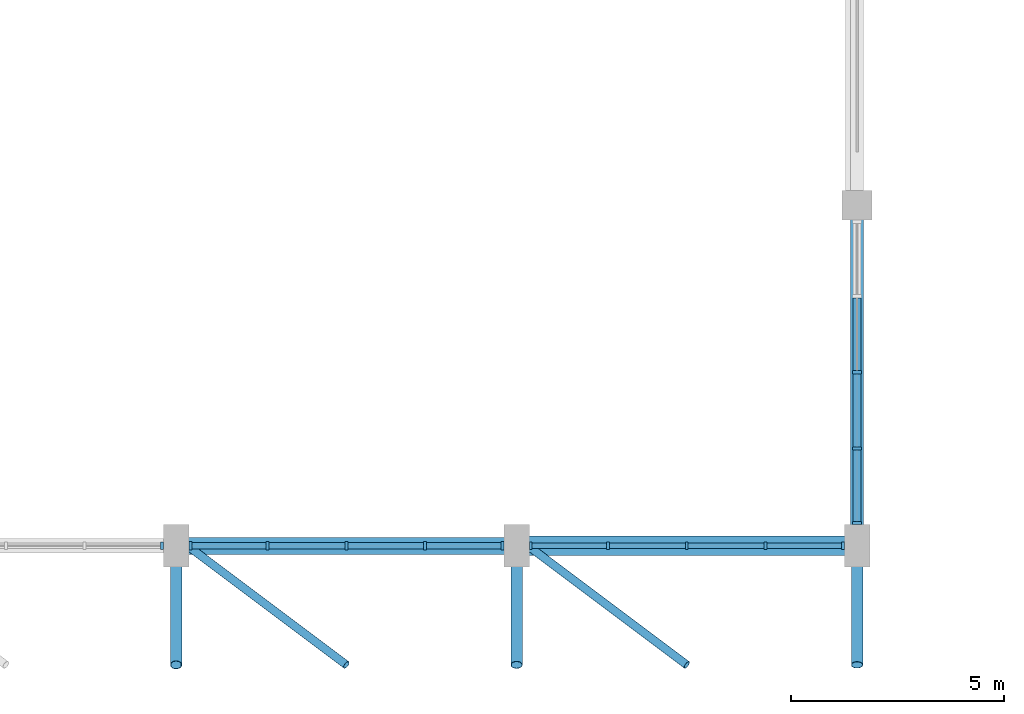
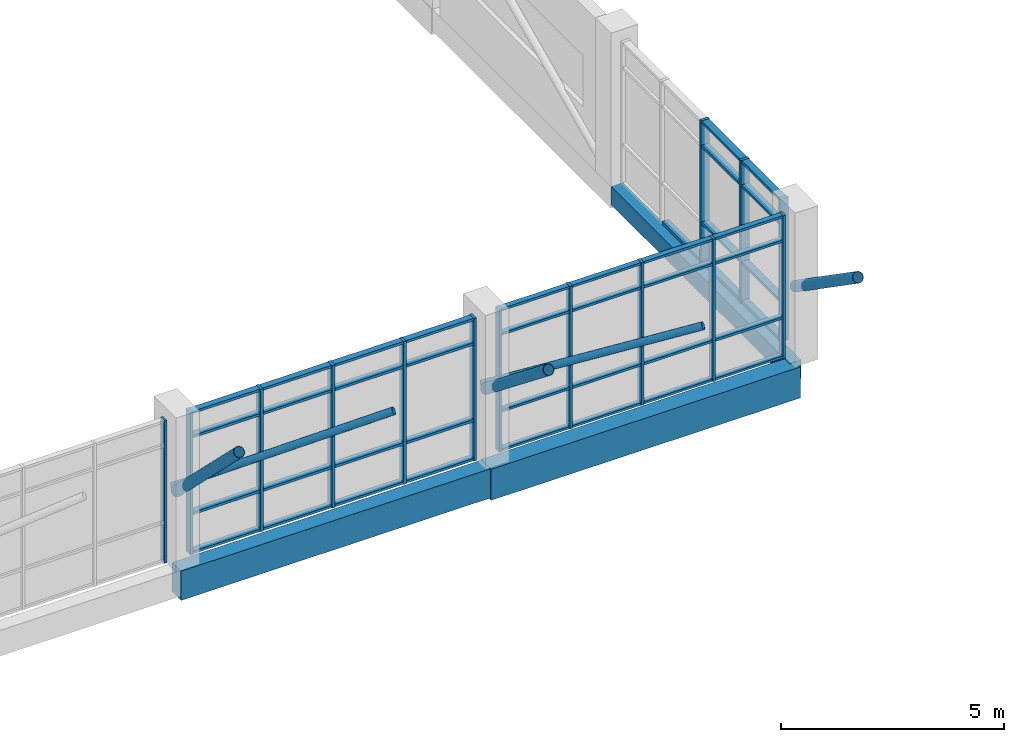
# One storey, part 5 of 44: 60 members, 3 beams, 4 elements without a shape of their own.
"""IFC4 building model written with IfcOpenShell, lengths in metres."""

from ifc_helpers import new_model, si_unit, direction, frame, origin, origin_2d, place, context, subcontext, project, spatial, rectangle, hollow_circle, extrude, material, material_profile, profile_set, type_object, element, aggregate, save


model = new_model("IFC4")

# Units and contexts
model_context = context("Model", 3, precision=1e-05, world=origin(), true_north=direction((0.0, 1.0)))
body_context = subcontext(model_context, "Body", "Model", "MODEL_VIEW")
ifc_project = project(units=[si_unit("LENGTHUNIT", "METRE"), si_unit("AREAUNIT", "SQUARE_METRE"), si_unit("VOLUMEUNIT", "CUBIC_METRE"), si_unit("PLANEANGLEUNIT", "RADIAN"), si_unit("MASSUNIT", "GRAM", prefix="KILO")], contexts=[model_context])

# Site, building, storey
site_placement = place(None, origin())
site = spatial("IfcSite", under=ifc_project, at=site_placement, CompositionType="ELEMENT")
building_placement = place(site_placement, origin())
building = spatial("IfcBuilding", under=site, at=building_placement, Name="Tenunan Teduh Sports Hall", CompositionType="ELEMENT")
storey_placement = place(building_placement, frame((0.0, 0.0, 19.199951171875)))
storey = spatial("IfcBuildingStorey", under=building, at=storey_placement, Name="L04", CompositionType="ELEMENT", Elevation=19.199951171875)

# Beams
ifc_material_1 = material(Name="Concrete C40/50", Category="concrete")
ifc_material_profile_1 = material_profile(ifc_material_1, rectangle(XDim=0.300048828125, YDim=0.5, at=origin_2d()), Name="RCB 300x500")
ifc_profile_set_1 = profile_set([ifc_material_profile_1], Name="Concrete C40/50")
beam_type_1 = type_object("IfcBeamType", Name="BM-RC-300x500", PredefinedType="BEAM", material=ifc_profile_set_1)
beam_1_placement = place(storey_placement, frame((54.0, 14.0, -0.52001953125), z_axis=(0.0, 1.0, 0.0), x_axis=(-1.0, 0.0, 0.0)))
element("IfcBeam", 1, at=beam_1_placement, inside=storey, type_object=beam_type_1, Name="BM-B-01-L04-2096", PredefinedType="BEAM", context=body_context, shape_type="SweptSolid", body=[
    extrude(rectangle(XDim=0.300048828125, YDim=0.5, at=origin_2d()), origin(), (0.0, 0.0, 1.0), 8.0),
])
ifc_material_2 = material(Name="Concrete C40/50", Category="concrete")
ifc_material_profile_2 = material_profile(ifc_material_2, rectangle(XDim=0.39990234375, YDim=0.800048828125, at=origin_2d()), Name="RCB 400x800")
ifc_profile_set_2 = profile_set([ifc_material_profile_2], Name="Concrete C40/50")
beam_type_2 = type_object("IfcBeamType", Name="BM-RC-400x800", PredefinedType="BEAM", material=ifc_profile_set_2)
beam_2_placement = place(storey_placement, frame((38.0, 14.0, -0.669921875), z_axis=(1.0, 0.0, 0.0), x_axis=(0.0, 1.0, 0.0)))
element("IfcBeam", 2, at=beam_2_placement, inside=storey, type_object=beam_type_2, Name="BM-B-10-L04-2014", PredefinedType="BEAM", context=body_context, shape_type="SweptSolid", body=[
    extrude(rectangle(XDim=0.39990234375, YDim=0.800048828125, at=origin_2d()), origin(), (0.0, 0.0, 1.0), 8.0),
])
ifc_material_3 = material(Name="Concrete C40/50", Category="concrete")
ifc_material_profile_3 = material_profile(ifc_material_3, rectangle(XDim=0.449951171875, YDim=0.85009765625, at=origin_2d()), Name="RCB 450x850")
ifc_profile_set_3 = profile_set([ifc_material_profile_3], Name="Concrete C40/50")
beam_type_3 = type_object("IfcBeamType", Name="BM-RC-450x850", PredefinedType="BEAM", material=ifc_profile_set_3)
beam_3_placement = place(storey_placement, frame((46.0, 14.0, -0.695068359375), z_axis=(1.0, 0.0, 0.0), x_axis=(0.0, 1.0, 0.0)))
element("IfcBeam", 3, at=beam_3_placement, inside=storey, type_object=beam_type_3, Name="BM-B-13-L04-2015", PredefinedType="BEAM", context=body_context, shape_type="SweptSolid", body=[
    extrude(rectangle(XDim=0.449951171875, YDim=0.85009765625, at=origin_2d()), origin(), (0.0, 0.0, 1.0), 8.0),
])

# Curtain wall, member
ifc_material_4 = material(Name="Anodised aluminium", Category="aluminium")
curtain_wall_type = type_object("IfcCurtainWallType", Name="CW-UNIT-2", PredefinedType="NOTDEFINED", material=ifc_material_4)
curtain_wall_1_placement = place(storey_placement, origin())
curtain_wall_1 = element("IfcCurtainWall", 4, at=curtain_wall_1_placement, inside=storey, type_object=curtain_wall_type, Name="CW-CWM-175-L04-098", PredefinedType="NOTDEFINED")
ifc_material_5 = material(Name="Anodised aluminium", Category="aluminium")
ifc_material_profile_4 = material_profile(ifc_material_5, rectangle(XDim=0.06494140625, YDim=0.175048828125, at=origin_2d()), Name="CWM 65x175")
ifc_profile_set_4 = profile_set([ifc_material_profile_4], Name="Anodised aluminium")
member_type_1 = type_object("IfcMemberType", Name="CWM-175", PredefinedType="MULLION", material=ifc_profile_set_4)
member_1_placement = place(storey_placement, frame((37.66748046875, 14.0, 0.0), z_axis=(0.0, 0.0, 1.0), x_axis=(1.0, 0.0, 0.0)))
member_1 = element("IfcMember", 5, at=member_1_placement, type_object=member_type_1, Name="CW-02 mullion 5", PredefinedType="MULLION", context=body_context, shape_type="SweptSolid", body=[
    extrude(rectangle(XDim=0.06494140625, YDim=0.175048828125, at=origin_2d()), origin(), (0.0, 0.0, 1.0), 3.900146484375),
])
aggregate(curtain_wall_1, [member_1])

# Curtain wall, members
curtain_wall_2_placement = place(storey_placement, origin())
curtain_wall_2 = element("IfcCurtainWall", 6, at=curtain_wall_2_placement, inside=storey, type_object=curtain_wall_type, Name="CW-CWM-175-L04-102", PredefinedType="NOTDEFINED")
member_2_placement = place(storey_placement, frame((46.33251953125, 14.0, 0.0), z_axis=(0.0, 0.0, 1.0), x_axis=(1.0, 0.0, 0.0)))
member_2 = element("IfcMember", 7, at=member_2_placement, type_object=member_type_1, Name="CW-02 mullion 1", PredefinedType="MULLION", context=body_context, shape_type="SweptSolid", body=[
    extrude(rectangle(XDim=0.06494140625, YDim=0.175048828125, at=origin_2d()), origin(), (0.0, 0.0, 1.0), 3.900146484375),
])
member_3_placement = place(storey_placement, frame((48.14990234375, 14.0, 0.0), z_axis=(0.0, 0.0, 1.0), x_axis=(1.0, 0.0, 0.0)))
member_3 = element("IfcMember", 8, at=member_3_placement, type_object=member_type_1, Name="CW-02 mullion 2", PredefinedType="MULLION", context=body_context, shape_type="SweptSolid", body=[
    extrude(rectangle(XDim=0.06494140625, YDim=0.175048828125, at=origin_2d()), origin(), (0.0, 0.0, 1.0), 3.900146484375),
])
member_4_placement = place(storey_placement, frame((50.0, 14.0, 0.0), z_axis=(0.0, 0.0, 1.0), x_axis=(1.0, 0.0, 0.0)))
member_4 = element("IfcMember", 9, at=member_4_placement, type_object=member_type_1, Name="CW-02 mullion 3", PredefinedType="MULLION", context=body_context, shape_type="SweptSolid", body=[
    extrude(rectangle(XDim=0.06494140625, YDim=0.175048828125, at=origin_2d()), origin(), (0.0, 0.0, 1.0), 3.900146484375),
])
member_5_placement = place(storey_placement, frame((51.85009765625, 14.0, 0.0), z_axis=(0.0, 0.0, 1.0), x_axis=(1.0, 0.0, 0.0)))
member_5 = element("IfcMember", 10, at=member_5_placement, type_object=member_type_1, Name="CW-02 mullion 4", PredefinedType="MULLION", context=body_context, shape_type="SweptSolid", body=[
    extrude(rectangle(XDim=0.06494140625, YDim=0.175048828125, at=origin_2d()), origin(), (0.0, 0.0, 1.0), 3.900146484375),
])
member_6_placement = place(storey_placement, frame((53.66748046875, 14.0, 0.0), z_axis=(0.0, 0.0, 1.0), x_axis=(1.0, 0.0, 0.0)))
member_6 = element("IfcMember", 11, at=member_6_placement, type_object=member_type_1, Name="CW-02 mullion 5", PredefinedType="MULLION", context=body_context, shape_type="SweptSolid", body=[
    extrude(rectangle(XDim=0.06494140625, YDim=0.175048828125, at=origin_2d()), origin(), (0.0, 0.0, 1.0), 3.900146484375),
])

curtain_wall_3_placement = place(storey_placement, origin())
curtain_wall_3 = element("IfcCurtainWall", 12, at=curtain_wall_3_placement, inside=storey, type_object=curtain_wall_type, Name="CW-CWM-200-L04-100", PredefinedType="NOTDEFINED")
ifc_material_6 = material(Name="Anodised aluminium", Category="aluminium")
ifc_material_profile_5 = material_profile(ifc_material_6, rectangle(XDim=0.070068359375, YDim=0.199951171875, at=origin_2d()), Name="CWM 70x200")
ifc_profile_set_5 = profile_set([ifc_material_profile_5], Name="Anodised aluminium")
member_type_2 = type_object("IfcMemberType", Name="CWM-200", PredefinedType="MULLION", material=ifc_profile_set_5)
member_7_placement = place(storey_placement, frame((38.3349609375, 14.0, 0.0), z_axis=(0.0, 0.0, 1.0), x_axis=(1.0, 0.0, 0.0)))
member_7 = element("IfcMember", 13, at=member_7_placement, type_object=member_type_2, Name="CW-02 mullion 1", PredefinedType="MULLION", context=body_context, shape_type="SweptSolid", body=[
    extrude(rectangle(XDim=0.070068359375, YDim=0.199951171875, at=origin_2d()), origin(), (0.0, 0.0, 1.0), 3.900146484375),
])
member_8_placement = place(storey_placement, frame((40.14990234375, 14.0, 0.0), z_axis=(0.0, 0.0, 1.0), x_axis=(1.0, 0.0, 0.0)))
member_8 = element("IfcMember", 14, at=member_8_placement, type_object=member_type_2, Name="CW-02 mullion 2", PredefinedType="MULLION", context=body_context, shape_type="SweptSolid", body=[
    extrude(rectangle(XDim=0.070068359375, YDim=0.199951171875, at=origin_2d()), origin(), (0.0, 0.0, 1.0), 3.900146484375),
])
member_9_placement = place(storey_placement, frame((42.0, 14.0, 0.0), z_axis=(0.0, 0.0, 1.0), x_axis=(1.0, 0.0, 0.0)))
member_9 = element("IfcMember", 15, at=member_9_placement, type_object=member_type_2, Name="CW-02 mullion 3", PredefinedType="MULLION", context=body_context, shape_type="SweptSolid", body=[
    extrude(rectangle(XDim=0.070068359375, YDim=0.199951171875, at=origin_2d()), origin(), (0.0, 0.0, 1.0), 3.900146484375),
])
member_10_placement = place(storey_placement, frame((43.85009765625, 14.0, 0.0), z_axis=(0.0, 0.0, 1.0), x_axis=(1.0, 0.0, 0.0)))
member_10 = element("IfcMember", 16, at=member_10_placement, type_object=member_type_2, Name="CW-02 mullion 4", PredefinedType="MULLION", context=body_context, shape_type="SweptSolid", body=[
    extrude(rectangle(XDim=0.070068359375, YDim=0.199951171875, at=origin_2d()), origin(), (0.0, 0.0, 1.0), 3.900146484375),
])
member_11_placement = place(storey_placement, frame((45.6650390625, 14.0, 0.0), z_axis=(0.0, 0.0, 1.0), x_axis=(1.0, 0.0, 0.0)))
member_11 = element("IfcMember", 17, at=member_11_placement, type_object=member_type_2, Name="CW-02 mullion 5", PredefinedType="MULLION", context=body_context, shape_type="SweptSolid", body=[
    extrude(rectangle(XDim=0.070068359375, YDim=0.199951171875, at=origin_2d()), origin(), (0.0, 0.0, 1.0), 3.900146484375),
])

curtain_wall_4_placement = place(storey_placement, origin())
curtain_wall_4 = element("IfcCurtainWall", 18, at=curtain_wall_4_placement, inside=storey, type_object=curtain_wall_type, Name="CW-CWM-220-L04-105", PredefinedType="NOTDEFINED")
ifc_material_7 = material(Name="Anodised aluminium", Category="aluminium")
ifc_material_profile_6 = material_profile(ifc_material_7, rectangle(XDim=0.074951171875, YDim=0.219970703125, at=origin_2d()), Name="CWM 75x220")
ifc_profile_set_6 = profile_set([ifc_material_profile_6], Name="Anodised aluminium")
member_type_3 = type_object("IfcMemberType", Name="CWM-220", PredefinedType="MULLION", material=ifc_profile_set_6)
member_12_placement = place(storey_placement, frame((54.0, 14.53759765625, 0.0), z_axis=(0.0, 0.0, 1.0), x_axis=(0.0, 1.0, 0.0)))
member_12 = element("IfcMember", 19, at=member_12_placement, type_object=member_type_3, Name="CW-02 mullion 1", PredefinedType="MULLION", context=body_context, shape_type="SweptSolid", body=[
    extrude(rectangle(XDim=0.074951171875, YDim=0.219970703125, at=origin_2d()), origin(), (0.0, 0.0, 1.0), 3.900146484375),
])
member_13_placement = place(storey_placement, frame((54.0, 16.28759765625, 0.0), z_axis=(0.0, 0.0, 1.0), x_axis=(0.0, 1.0, 0.0)))
member_13 = element("IfcMember", 20, at=member_13_placement, type_object=member_type_3, Name="CW-02 mullion 2", PredefinedType="MULLION", context=body_context, shape_type="SweptSolid", body=[
    extrude(rectangle(XDim=0.074951171875, YDim=0.219970703125, at=origin_2d()), origin(), (0.0, 0.0, 1.0), 3.900146484375),
])
member_14_placement = place(storey_placement, frame((54.0, 18.074951171875, 0.0), z_axis=(0.0, 0.0, 1.0), x_axis=(0.0, 1.0, 0.0)))
member_14 = element("IfcMember", 21, at=member_14_placement, type_object=member_type_3, Name="CW-02 mullion 3", PredefinedType="MULLION", context=body_context, shape_type="SweptSolid", body=[
    extrude(rectangle(XDim=0.074951171875, YDim=0.219970703125, at=origin_2d()), origin(), (0.0, 0.0, 1.0), 3.900146484375),
])

# Member
ifc_material_8 = material(Name="Anodised aluminium", Category="aluminium")
ifc_material_profile_7 = material_profile(ifc_material_8, rectangle(XDim=0.06494140625, YDim=0.139892578125, at=origin_2d()), Name="CWT 65x140")
ifc_profile_set_7 = profile_set([ifc_material_profile_7], Name="Anodised aluminium")
member_type_4 = type_object("IfcMemberType", Name="CWT-150", PredefinedType="USERDEFINED", material=ifc_profile_set_7)
member_15_placement = place(storey_placement, frame((46.364990234375, 14.0, 0.032470703125), z_axis=(1.0, 0.0, 0.0), x_axis=(0.0, 0.0, 1.0)))
member_15 = element("IfcMember", 22, at=member_15_placement, type_object=member_type_4, Name="CW-02 transom 1.1", ObjectType="TRANSOM", PredefinedType="USERDEFINED", context=body_context, shape_type="SweptSolid", body=[
    extrude(rectangle(XDim=0.06494140625, YDim=0.139892578125, at=origin_2d()), origin(), (0.0, 0.0, 1.0), 1.75244140625),
])

member_16_placement = place(storey_placement, frame((46.364990234375, 14.0, 1.10009765625), z_axis=(1.0, 0.0, 0.0), x_axis=(0.0, 0.0, 1.0)))
member_16 = element("IfcMember", 23, at=member_16_placement, type_object=member_type_4, Name="CW-02 transom 1.2", ObjectType="TRANSOM", PredefinedType="USERDEFINED", context=body_context, shape_type="SweptSolid", body=[
    extrude(rectangle(XDim=0.06494140625, YDim=0.139892578125, at=origin_2d()), origin(), (0.0, 0.0, 1.0), 1.75244140625),
])

member_17_placement = place(storey_placement, frame((46.364990234375, 14.0, 3.199951171875), z_axis=(1.0, 0.0, 0.0), x_axis=(0.0, 0.0, 1.0)))
member_17 = element("IfcMember", 24, at=member_17_placement, type_object=member_type_4, Name="CW-02 transom 1.3", ObjectType="TRANSOM", PredefinedType="USERDEFINED", context=body_context, shape_type="SweptSolid", body=[
    extrude(rectangle(XDim=0.06494140625, YDim=0.139892578125, at=origin_2d()), origin(), (0.0, 0.0, 1.0), 1.75244140625),
])

member_18_placement = place(storey_placement, frame((46.364990234375, 14.0, 3.867431640625), z_axis=(1.0, 0.0, 0.0), x_axis=(0.0, 0.0, 1.0)))
member_18 = element("IfcMember", 25, at=member_18_placement, type_object=member_type_4, Name="CW-02 transom 1.4", ObjectType="TRANSOM", PredefinedType="USERDEFINED", context=body_context, shape_type="SweptSolid", body=[
    extrude(rectangle(XDim=0.06494140625, YDim=0.139892578125, at=origin_2d()), origin(), (0.0, 0.0, 1.0), 1.75244140625),
])

member_19_placement = place(storey_placement, frame((48.1826171875, 14.0, 0.032470703125), z_axis=(1.0, 0.0, 0.0), x_axis=(0.0, 0.0, 1.0)))
member_19 = element("IfcMember", 26, at=member_19_placement, type_object=member_type_4, Name="CW-02 transom 2.1", ObjectType="TRANSOM", PredefinedType="USERDEFINED", context=body_context, shape_type="SweptSolid", body=[
    extrude(rectangle(XDim=0.06494140625, YDim=0.139892578125, at=origin_2d()), origin(), (0.0, 0.0, 1.0), 1.784912109375),
])

member_20_placement = place(storey_placement, frame((48.1826171875, 14.0, 1.10009765625), z_axis=(1.0, 0.0, 0.0), x_axis=(0.0, 0.0, 1.0)))
member_20 = element("IfcMember", 27, at=member_20_placement, type_object=member_type_4, Name="CW-02 transom 2.2", ObjectType="TRANSOM", PredefinedType="USERDEFINED", context=body_context, shape_type="SweptSolid", body=[
    extrude(rectangle(XDim=0.06494140625, YDim=0.139892578125, at=origin_2d()), origin(), (0.0, 0.0, 1.0), 1.784912109375),
])

member_21_placement = place(storey_placement, frame((48.1826171875, 14.0, 3.199951171875), z_axis=(1.0, 0.0, 0.0), x_axis=(0.0, 0.0, 1.0)))
member_21 = element("IfcMember", 28, at=member_21_placement, type_object=member_type_4, Name="CW-02 transom 2.3", ObjectType="TRANSOM", PredefinedType="USERDEFINED", context=body_context, shape_type="SweptSolid", body=[
    extrude(rectangle(XDim=0.06494140625, YDim=0.139892578125, at=origin_2d()), origin(), (0.0, 0.0, 1.0), 1.784912109375),
])

member_22_placement = place(storey_placement, frame((48.1826171875, 14.0, 3.867431640625), z_axis=(1.0, 0.0, 0.0), x_axis=(0.0, 0.0, 1.0)))
member_22 = element("IfcMember", 29, at=member_22_placement, type_object=member_type_4, Name="CW-02 transom 2.4", ObjectType="TRANSOM", PredefinedType="USERDEFINED", context=body_context, shape_type="SweptSolid", body=[
    extrude(rectangle(XDim=0.06494140625, YDim=0.139892578125, at=origin_2d()), origin(), (0.0, 0.0, 1.0), 1.784912109375),
])

member_23_placement = place(storey_placement, frame((50.032470703125, 14.0, 0.032470703125), z_axis=(1.0, 0.0, 0.0), x_axis=(0.0, 0.0, 1.0)))
member_23 = element("IfcMember", 30, at=member_23_placement, type_object=member_type_4, Name="CW-02 transom 3.1", ObjectType="TRANSOM", PredefinedType="USERDEFINED", context=body_context, shape_type="SweptSolid", body=[
    extrude(rectangle(XDim=0.06494140625, YDim=0.139892578125, at=origin_2d()), origin(), (0.0, 0.0, 1.0), 1.784912109375),
])

member_24_placement = place(storey_placement, frame((50.032470703125, 14.0, 1.10009765625), z_axis=(1.0, 0.0, 0.0), x_axis=(0.0, 0.0, 1.0)))
member_24 = element("IfcMember", 31, at=member_24_placement, type_object=member_type_4, Name="CW-02 transom 3.2", ObjectType="TRANSOM", PredefinedType="USERDEFINED", context=body_context, shape_type="SweptSolid", body=[
    extrude(rectangle(XDim=0.06494140625, YDim=0.139892578125, at=origin_2d()), origin(), (0.0, 0.0, 1.0), 1.784912109375),
])

member_25_placement = place(storey_placement, frame((50.032470703125, 14.0, 3.199951171875), z_axis=(1.0, 0.0, 0.0), x_axis=(0.0, 0.0, 1.0)))
member_25 = element("IfcMember", 32, at=member_25_placement, type_object=member_type_4, Name="CW-02 transom 3.3", ObjectType="TRANSOM", PredefinedType="USERDEFINED", context=body_context, shape_type="SweptSolid", body=[
    extrude(rectangle(XDim=0.06494140625, YDim=0.139892578125, at=origin_2d()), origin(), (0.0, 0.0, 1.0), 1.784912109375),
])

member_26_placement = place(storey_placement, frame((50.032470703125, 14.0, 3.867431640625), z_axis=(1.0, 0.0, 0.0), x_axis=(0.0, 0.0, 1.0)))
member_26 = element("IfcMember", 33, at=member_26_placement, type_object=member_type_4, Name="CW-02 transom 3.4", ObjectType="TRANSOM", PredefinedType="USERDEFINED", context=body_context, shape_type="SweptSolid", body=[
    extrude(rectangle(XDim=0.06494140625, YDim=0.139892578125, at=origin_2d()), origin(), (0.0, 0.0, 1.0), 1.784912109375),
])

member_27_placement = place(storey_placement, frame((51.882568359375, 14.0, 0.032470703125), z_axis=(1.0, 0.0, 0.0), x_axis=(0.0, 0.0, 1.0)))
member_27 = element("IfcMember", 34, at=member_27_placement, type_object=member_type_4, Name="CW-02 transom 4.1", ObjectType="TRANSOM", PredefinedType="USERDEFINED", context=body_context, shape_type="SweptSolid", body=[
    extrude(rectangle(XDim=0.06494140625, YDim=0.139892578125, at=origin_2d()), origin(), (0.0, 0.0, 1.0), 1.75244140625),
])

member_28_placement = place(storey_placement, frame((51.882568359375, 14.0, 1.10009765625), z_axis=(1.0, 0.0, 0.0), x_axis=(0.0, 0.0, 1.0)))
member_28 = element("IfcMember", 35, at=member_28_placement, type_object=member_type_4, Name="CW-02 transom 4.2", ObjectType="TRANSOM", PredefinedType="USERDEFINED", context=body_context, shape_type="SweptSolid", body=[
    extrude(rectangle(XDim=0.06494140625, YDim=0.139892578125, at=origin_2d()), origin(), (0.0, 0.0, 1.0), 1.75244140625),
])

member_29_placement = place(storey_placement, frame((51.882568359375, 14.0, 3.199951171875), z_axis=(1.0, 0.0, 0.0), x_axis=(0.0, 0.0, 1.0)))
member_29 = element("IfcMember", 36, at=member_29_placement, type_object=member_type_4, Name="CW-02 transom 4.3", ObjectType="TRANSOM", PredefinedType="USERDEFINED", context=body_context, shape_type="SweptSolid", body=[
    extrude(rectangle(XDim=0.06494140625, YDim=0.139892578125, at=origin_2d()), origin(), (0.0, 0.0, 1.0), 1.75244140625),
])

member_30_placement = place(storey_placement, frame((51.882568359375, 14.0, 3.867431640625), z_axis=(1.0, 0.0, 0.0), x_axis=(0.0, 0.0, 1.0)))
member_30 = element("IfcMember", 37, at=member_30_placement, type_object=member_type_4, Name="CW-02 transom 4.4", ObjectType="TRANSOM", PredefinedType="USERDEFINED", context=body_context, shape_type="SweptSolid", body=[
    extrude(rectangle(XDim=0.06494140625, YDim=0.139892578125, at=origin_2d()), origin(), (0.0, 0.0, 1.0), 1.75244140625),
])

aggregate(curtain_wall_2, [member_2, member_3, member_4, member_5, member_6, member_15, member_16, member_17, member_18, member_19, member_20, member_21, member_22, member_23, member_24, member_25, member_26, member_27, member_28, member_29, member_30])

ifc_material_9 = material(Name="Anodised aluminium", Category="aluminium")
ifc_material_profile_8 = material_profile(ifc_material_9, rectangle(XDim=0.074951171875, YDim=0.179931640625, at=origin_2d()), Name="CWT 75x180")
ifc_profile_set_8 = profile_set([ifc_material_profile_8], Name="Anodised aluminium")
member_type_5 = type_object("IfcMemberType", Name="CWT-180", PredefinedType="USERDEFINED", material=ifc_profile_set_8)
member_31_placement = place(storey_placement, frame((54.0, 14.574951171875, 0.03759765625), z_axis=(0.0, 1.0, 0.0), x_axis=(0.0, 0.0, 1.0)))
member_31 = element("IfcMember", 38, at=member_31_placement, type_object=member_type_5, Name="CW-02 transom 1.1", ObjectType="TRANSOM", PredefinedType="USERDEFINED", context=body_context, shape_type="SweptSolid", body=[
    extrude(rectangle(XDim=0.074951171875, YDim=0.179931640625, at=origin_2d()), origin(), (0.0, 0.0, 1.0), 1.675048828125),
])

member_32_placement = place(storey_placement, frame((54.0, 14.574951171875, 1.10009765625), z_axis=(0.0, 1.0, 0.0), x_axis=(0.0, 0.0, 1.0)))
member_32 = element("IfcMember", 39, at=member_32_placement, type_object=member_type_5, Name="CW-02 transom 1.2", ObjectType="TRANSOM", PredefinedType="USERDEFINED", context=body_context, shape_type="SweptSolid", body=[
    extrude(rectangle(XDim=0.074951171875, YDim=0.179931640625, at=origin_2d()), origin(), (0.0, 0.0, 1.0), 1.675048828125),
])

member_33_placement = place(storey_placement, frame((54.0, 14.574951171875, 3.199951171875), z_axis=(0.0, 1.0, 0.0), x_axis=(0.0, 0.0, 1.0)))
member_33 = element("IfcMember", 40, at=member_33_placement, type_object=member_type_5, Name="CW-02 transom 1.3", ObjectType="TRANSOM", PredefinedType="USERDEFINED", context=body_context, shape_type="SweptSolid", body=[
    extrude(rectangle(XDim=0.074951171875, YDim=0.179931640625, at=origin_2d()), origin(), (0.0, 0.0, 1.0), 1.675048828125),
])

member_34_placement = place(storey_placement, frame((54.0, 14.574951171875, 3.862548828125), z_axis=(0.0, 1.0, 0.0), x_axis=(0.0, 0.0, 1.0)))
member_34 = element("IfcMember", 41, at=member_34_placement, type_object=member_type_5, Name="CW-02 transom 1.4", ObjectType="TRANSOM", PredefinedType="USERDEFINED", context=body_context, shape_type="SweptSolid", body=[
    extrude(rectangle(XDim=0.074951171875, YDim=0.179931640625, at=origin_2d()), origin(), (0.0, 0.0, 1.0), 1.675048828125),
])

member_35_placement = place(storey_placement, frame((54.0, 16.324951171875, 0.03759765625), z_axis=(0.0, 1.0, 0.0), x_axis=(0.0, 0.0, 1.0)))
member_35 = element("IfcMember", 42, at=member_35_placement, type_object=member_type_5, Name="CW-02 transom 2.1", ObjectType="TRANSOM", PredefinedType="USERDEFINED", context=body_context, shape_type="SweptSolid", body=[
    extrude(rectangle(XDim=0.074951171875, YDim=0.179931640625, at=origin_2d()), origin(), (0.0, 0.0, 1.0), 1.712646484375),
])

member_36_placement = place(storey_placement, frame((54.0, 16.324951171875, 1.10009765625), z_axis=(0.0, 1.0, 0.0), x_axis=(0.0, 0.0, 1.0)))
member_36 = element("IfcMember", 43, at=member_36_placement, type_object=member_type_5, Name="CW-02 transom 2.2", ObjectType="TRANSOM", PredefinedType="USERDEFINED", context=body_context, shape_type="SweptSolid", body=[
    extrude(rectangle(XDim=0.074951171875, YDim=0.179931640625, at=origin_2d()), origin(), (0.0, 0.0, 1.0), 1.712646484375),
])

member_37_placement = place(storey_placement, frame((54.0, 16.324951171875, 3.199951171875), z_axis=(0.0, 1.0, 0.0), x_axis=(0.0, 0.0, 1.0)))
member_37 = element("IfcMember", 44, at=member_37_placement, type_object=member_type_5, Name="CW-02 transom 2.3", ObjectType="TRANSOM", PredefinedType="USERDEFINED", context=body_context, shape_type="SweptSolid", body=[
    extrude(rectangle(XDim=0.074951171875, YDim=0.179931640625, at=origin_2d()), origin(), (0.0, 0.0, 1.0), 1.712646484375),
])

member_38_placement = place(storey_placement, frame((54.0, 16.324951171875, 3.862548828125), z_axis=(0.0, 1.0, 0.0), x_axis=(0.0, 0.0, 1.0)))
member_38 = element("IfcMember", 45, at=member_38_placement, type_object=member_type_5, Name="CW-02 transom 2.4", ObjectType="TRANSOM", PredefinedType="USERDEFINED", context=body_context, shape_type="SweptSolid", body=[
    extrude(rectangle(XDim=0.074951171875, YDim=0.179931640625, at=origin_2d()), origin(), (0.0, 0.0, 1.0), 1.712646484375),
])

member_39_placement = place(storey_placement, frame((54.0, 18.112548828125, 0.03759765625), z_axis=(0.0, 1.0, 0.0), x_axis=(0.0, 0.0, 1.0)))
member_39 = element("IfcMember", 46, at=member_39_placement, type_object=member_type_5, Name="CW-02 transom 3.1", ObjectType="TRANSOM", PredefinedType="USERDEFINED", context=body_context, shape_type="SweptSolid", body=[
    extrude(rectangle(XDim=0.074951171875, YDim=0.179931640625, at=origin_2d()), origin(), (0.0, 0.0, 1.0), 1.71240234375),
])

aggregate(curtain_wall_4, [member_12, member_13, member_14, member_31, member_32, member_33, member_34, member_35, member_36, member_37, member_38, member_39])

ifc_material_10 = material(Name="Anodised aluminium", Category="aluminium")
ifc_material_profile_9 = material_profile(ifc_material_10, rectangle(XDim=0.070068359375, YDim=0.159912109375, at=origin_2d()), Name="CWT 70x160")
ifc_profile_set_9 = profile_set([ifc_material_profile_9], Name="Anodised aluminium")
member_type_6 = type_object("IfcMemberType", Name="CWT-200", PredefinedType="USERDEFINED", material=ifc_profile_set_9)
member_40_placement = place(storey_placement, frame((38.3701171875, 14.0, 0.03515625), z_axis=(1.0, 0.0, 0.0), x_axis=(0.0, 0.0, 1.0)))
member_40 = element("IfcMember", 47, at=member_40_placement, type_object=member_type_6, Name="CW-02 transom 1.1", ObjectType="TRANSOM", PredefinedType="USERDEFINED", context=body_context, shape_type="SweptSolid", body=[
    extrude(rectangle(XDim=0.070068359375, YDim=0.159912109375, at=origin_2d()), origin(), (0.0, 0.0, 1.0), 1.744873046875),
])

member_41_placement = place(storey_placement, frame((38.3701171875, 14.0, 1.10009765625), z_axis=(1.0, 0.0, 0.0), x_axis=(0.0, 0.0, 1.0)))
member_41 = element("IfcMember", 48, at=member_41_placement, type_object=member_type_6, Name="CW-02 transom 1.2", ObjectType="TRANSOM", PredefinedType="USERDEFINED", context=body_context, shape_type="SweptSolid", body=[
    extrude(rectangle(XDim=0.070068359375, YDim=0.159912109375, at=origin_2d()), origin(), (0.0, 0.0, 1.0), 1.744873046875),
])

member_42_placement = place(storey_placement, frame((38.3701171875, 14.0, 3.199951171875), z_axis=(1.0, 0.0, 0.0), x_axis=(0.0, 0.0, 1.0)))
member_42 = element("IfcMember", 49, at=member_42_placement, type_object=member_type_6, Name="CW-02 transom 1.3", ObjectType="TRANSOM", PredefinedType="USERDEFINED", context=body_context, shape_type="SweptSolid", body=[
    extrude(rectangle(XDim=0.070068359375, YDim=0.159912109375, at=origin_2d()), origin(), (0.0, 0.0, 1.0), 1.744873046875),
])

member_43_placement = place(storey_placement, frame((38.3701171875, 14.0, 3.864990234375), z_axis=(1.0, 0.0, 0.0), x_axis=(0.0, 0.0, 1.0)))
member_43 = element("IfcMember", 50, at=member_43_placement, type_object=member_type_6, Name="CW-02 transom 1.4", ObjectType="TRANSOM", PredefinedType="USERDEFINED", context=body_context, shape_type="SweptSolid", body=[
    extrude(rectangle(XDim=0.070068359375, YDim=0.159912109375, at=origin_2d()), origin(), (0.0, 0.0, 1.0), 1.744873046875),
])

member_44_placement = place(storey_placement, frame((40.18505859375, 14.0, 0.03515625), z_axis=(1.0, 0.0, 0.0), x_axis=(0.0, 0.0, 1.0)))
member_44 = element("IfcMember", 51, at=member_44_placement, type_object=member_type_6, Name="CW-02 transom 2.1", ObjectType="TRANSOM", PredefinedType="USERDEFINED", context=body_context, shape_type="SweptSolid", body=[
    extrude(rectangle(XDim=0.070068359375, YDim=0.159912109375, at=origin_2d()), origin(), (0.0, 0.0, 1.0), 1.780029296875),
])

member_45_placement = place(storey_placement, frame((40.18505859375, 14.0, 1.10009765625), z_axis=(1.0, 0.0, 0.0), x_axis=(0.0, 0.0, 1.0)))
member_45 = element("IfcMember", 52, at=member_45_placement, type_object=member_type_6, Name="CW-02 transom 2.2", ObjectType="TRANSOM", PredefinedType="USERDEFINED", context=body_context, shape_type="SweptSolid", body=[
    extrude(rectangle(XDim=0.070068359375, YDim=0.159912109375, at=origin_2d()), origin(), (0.0, 0.0, 1.0), 1.780029296875),
])

member_46_placement = place(storey_placement, frame((40.18505859375, 14.0, 3.199951171875), z_axis=(1.0, 0.0, 0.0), x_axis=(0.0, 0.0, 1.0)))
member_46 = element("IfcMember", 53, at=member_46_placement, type_object=member_type_6, Name="CW-02 transom 2.3", ObjectType="TRANSOM", PredefinedType="USERDEFINED", context=body_context, shape_type="SweptSolid", body=[
    extrude(rectangle(XDim=0.070068359375, YDim=0.159912109375, at=origin_2d()), origin(), (0.0, 0.0, 1.0), 1.780029296875),
])

member_47_placement = place(storey_placement, frame((40.18505859375, 14.0, 3.864990234375), z_axis=(1.0, 0.0, 0.0), x_axis=(0.0, 0.0, 1.0)))
member_47 = element("IfcMember", 54, at=member_47_placement, type_object=member_type_6, Name="CW-02 transom 2.4", ObjectType="TRANSOM", PredefinedType="USERDEFINED", context=body_context, shape_type="SweptSolid", body=[
    extrude(rectangle(XDim=0.070068359375, YDim=0.159912109375, at=origin_2d()), origin(), (0.0, 0.0, 1.0), 1.780029296875),
])

member_48_placement = place(storey_placement, frame((42.034912109375, 14.0, 0.03515625), z_axis=(1.0, 0.0, 0.0), x_axis=(0.0, 0.0, 1.0)))
member_48 = element("IfcMember", 55, at=member_48_placement, type_object=member_type_6, Name="CW-02 transom 3.1", ObjectType="TRANSOM", PredefinedType="USERDEFINED", context=body_context, shape_type="SweptSolid", body=[
    extrude(rectangle(XDim=0.070068359375, YDim=0.159912109375, at=origin_2d()), origin(), (0.0, 0.0, 1.0), 1.780029296875),
])

member_49_placement = place(storey_placement, frame((42.034912109375, 14.0, 1.10009765625), z_axis=(1.0, 0.0, 0.0), x_axis=(0.0, 0.0, 1.0)))
member_49 = element("IfcMember", 56, at=member_49_placement, type_object=member_type_6, Name="CW-02 transom 3.2", ObjectType="TRANSOM", PredefinedType="USERDEFINED", context=body_context, shape_type="SweptSolid", body=[
    extrude(rectangle(XDim=0.070068359375, YDim=0.159912109375, at=origin_2d()), origin(), (0.0, 0.0, 1.0), 1.780029296875),
])

member_50_placement = place(storey_placement, frame((42.034912109375, 14.0, 3.199951171875), z_axis=(1.0, 0.0, 0.0), x_axis=(0.0, 0.0, 1.0)))
member_50 = element("IfcMember", 57, at=member_50_placement, type_object=member_type_6, Name="CW-02 transom 3.3", ObjectType="TRANSOM", PredefinedType="USERDEFINED", context=body_context, shape_type="SweptSolid", body=[
    extrude(rectangle(XDim=0.070068359375, YDim=0.159912109375, at=origin_2d()), origin(), (0.0, 0.0, 1.0), 1.780029296875),
])

member_51_placement = place(storey_placement, frame((42.034912109375, 14.0, 3.864990234375), z_axis=(1.0, 0.0, 0.0), x_axis=(0.0, 0.0, 1.0)))
member_51 = element("IfcMember", 58, at=member_51_placement, type_object=member_type_6, Name="CW-02 transom 3.4", ObjectType="TRANSOM", PredefinedType="USERDEFINED", context=body_context, shape_type="SweptSolid", body=[
    extrude(rectangle(XDim=0.070068359375, YDim=0.159912109375, at=origin_2d()), origin(), (0.0, 0.0, 1.0), 1.780029296875),
])

member_52_placement = place(storey_placement, frame((43.885009765625, 14.0, 0.03515625), z_axis=(1.0, 0.0, 0.0), x_axis=(0.0, 0.0, 1.0)))
member_52 = element("IfcMember", 59, at=member_52_placement, type_object=member_type_6, Name="CW-02 transom 4.1", ObjectType="TRANSOM", PredefinedType="USERDEFINED", context=body_context, shape_type="SweptSolid", body=[
    extrude(rectangle(XDim=0.070068359375, YDim=0.159912109375, at=origin_2d()), origin(), (0.0, 0.0, 1.0), 1.744873046875),
])

member_53_placement = place(storey_placement, frame((43.885009765625, 14.0, 1.10009765625), z_axis=(1.0, 0.0, 0.0), x_axis=(0.0, 0.0, 1.0)))
member_53 = element("IfcMember", 60, at=member_53_placement, type_object=member_type_6, Name="CW-02 transom 4.2", ObjectType="TRANSOM", PredefinedType="USERDEFINED", context=body_context, shape_type="SweptSolid", body=[
    extrude(rectangle(XDim=0.070068359375, YDim=0.159912109375, at=origin_2d()), origin(), (0.0, 0.0, 1.0), 1.744873046875),
])

member_54_placement = place(storey_placement, frame((43.885009765625, 14.0, 3.199951171875), z_axis=(1.0, 0.0, 0.0), x_axis=(0.0, 0.0, 1.0)))
member_54 = element("IfcMember", 61, at=member_54_placement, type_object=member_type_6, Name="CW-02 transom 4.3", ObjectType="TRANSOM", PredefinedType="USERDEFINED", context=body_context, shape_type="SweptSolid", body=[
    extrude(rectangle(XDim=0.070068359375, YDim=0.159912109375, at=origin_2d()), origin(), (0.0, 0.0, 1.0), 1.744873046875),
])

member_55_placement = place(storey_placement, frame((43.885009765625, 14.0, 3.864990234375), z_axis=(1.0, 0.0, 0.0), x_axis=(0.0, 0.0, 1.0)))
member_55 = element("IfcMember", 62, at=member_55_placement, type_object=member_type_6, Name="CW-02 transom 4.4", ObjectType="TRANSOM", PredefinedType="USERDEFINED", context=body_context, shape_type="SweptSolid", body=[
    extrude(rectangle(XDim=0.070068359375, YDim=0.159912109375, at=origin_2d()), origin(), (0.0, 0.0, 1.0), 1.744873046875),
])

aggregate(curtain_wall_3, [member_7, member_8, member_9, member_10, member_11, member_40, member_41, member_42, member_43, member_44, member_45, member_46, member_47, member_48, member_49, member_50, member_51, member_52, member_53, member_54, member_55])

# Members
ifc_material_11 = material(Name="Steel S355", Category="steel")
ifc_material_profile_10 = material_profile(ifc_material_11, hollow_circle(Radius=0.096923828125, WallThickness=0.008056640625, at=origin_2d()), Name="CHS 193.7x8.0")
ifc_profile_set_10 = profile_set([ifc_material_profile_10], Name="Steel S355")
member_type_7 = type_object("IfcMemberType", Name="MEM-BR-CHS194", PredefinedType="BRACE", material=ifc_profile_set_10)
member_56_placement = place(storey_placement, frame((38.0, 14.199951171875, 1.800048828125), z_axis=(0.715960769164, -0.536970576873, 0.446164517405), x_axis=(0.6, 0.8, 0.0)))
element("IfcMember", 63, at=member_56_placement, inside=storey, type_object=member_type_7, Name="MEM-GD-03-L04-0482", PredefinedType="BRACE", context=body_context, shape_type="SweptSolid", body=[
    extrude(hollow_circle(Radius=0.096923828125, WallThickness=0.008056640625, at=origin_2d()), origin(), (0.0, 0.0, 1.0), 5.5869140625),
])
member_57_placement = place(storey_placement, frame((46.0, 14.199951171875, 1.800048828125), z_axis=(0.741953988279, -0.556465491209, 0.373965822462), x_axis=(0.6, 0.8, 0.0)))
element("IfcMember", 64, at=member_57_placement, inside=storey, type_object=member_type_7, Name="MEM-GD-03-L04-0498", PredefinedType="BRACE", context=body_context, shape_type="SweptSolid", body=[
    extrude(hollow_circle(Radius=0.096923828125, WallThickness=0.008056640625, at=origin_2d()), origin(), (0.0, 0.0, 1.0), 5.39111328125),
])
ifc_material_12 = material(Name="Steel S355", Category="steel")
ifc_material_profile_11 = material_profile(ifc_material_12, hollow_circle(Radius=0.136474609375, WallThickness=0.010009765625, at=origin_2d()), Name="CHS 273.0x10.0")
ifc_profile_set_11 = profile_set([ifc_material_profile_11], Name="Steel S355")
member_type_8 = type_object("IfcMemberType", Name="MEM-ST-CHS273", PredefinedType="STRUT", material=ifc_profile_set_11)
member_58_placement = place(storey_placement, frame((38.0, 14.0, 1.800048828125), z_axis=(0.0, -0.711404619059, 0.702782660558), x_axis=(1.0, 0.0, 0.0)))
element("IfcMember", 65, at=member_58_placement, inside=storey, type_object=member_type_8, Name="MEM-VS-04-L04-0474", PredefinedType="STRUT", context=body_context, shape_type="SweptSolid", body=[
    extrude(hollow_circle(Radius=0.136474609375, WallThickness=0.010009765625, at=origin_2d()), origin(), (0.0, 0.0, 1.0), 3.93603515625),
])
member_59_placement = place(storey_placement, frame((46.0, 14.0, 1.800048828125), z_axis=(0.0, -0.784232972207, 0.620466473956), x_axis=(1.0, 0.0, 0.0)))
element("IfcMember", 66, at=member_59_placement, inside=storey, type_object=member_type_8, Name="MEM-VS-04-L04-0490", PredefinedType="STRUT", context=body_context, shape_type="SweptSolid", body=[
    extrude(hollow_circle(Radius=0.136474609375, WallThickness=0.010009765625, at=origin_2d()), origin(), (0.0, 0.0, 1.0), 3.5703125),
])
member_60_placement = place(storey_placement, frame((54.0, 14.0, 1.800048828125), z_axis=(0.0, -0.821725060058, 0.569884133551), x_axis=(1.0, 0.0, 0.0)))
element("IfcMember", 67, at=member_60_placement, inside=storey, type_object=member_type_8, Name="MEM-VS-04-L04-0506", PredefinedType="STRUT", context=body_context, shape_type="SweptSolid", body=[
    extrude(hollow_circle(Radius=0.136474609375, WallThickness=0.010009765625, at=origin_2d()), origin(), (0.0, 0.0, 1.0), 3.407470703125),
])

save(model, "model.ifc")
